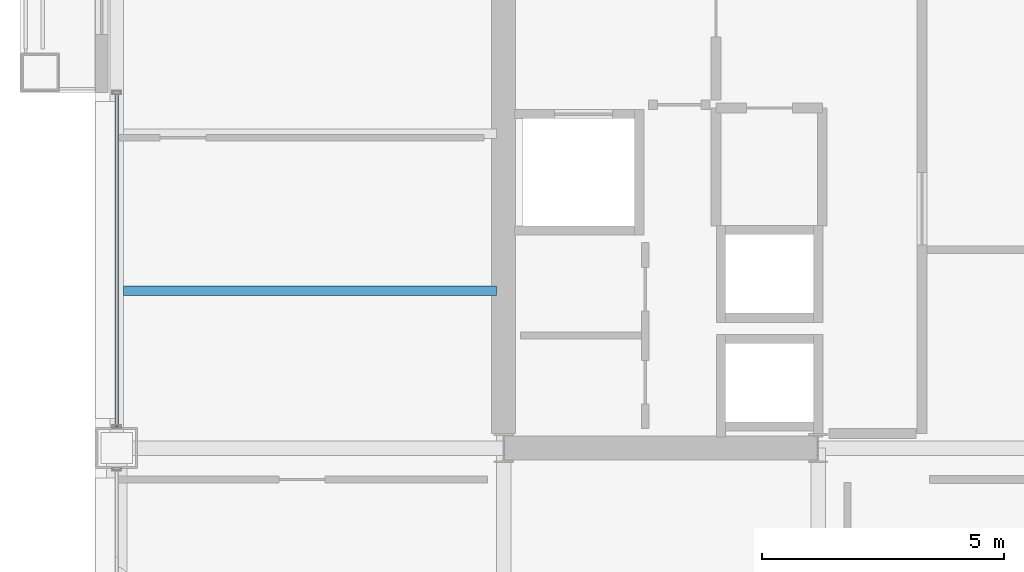
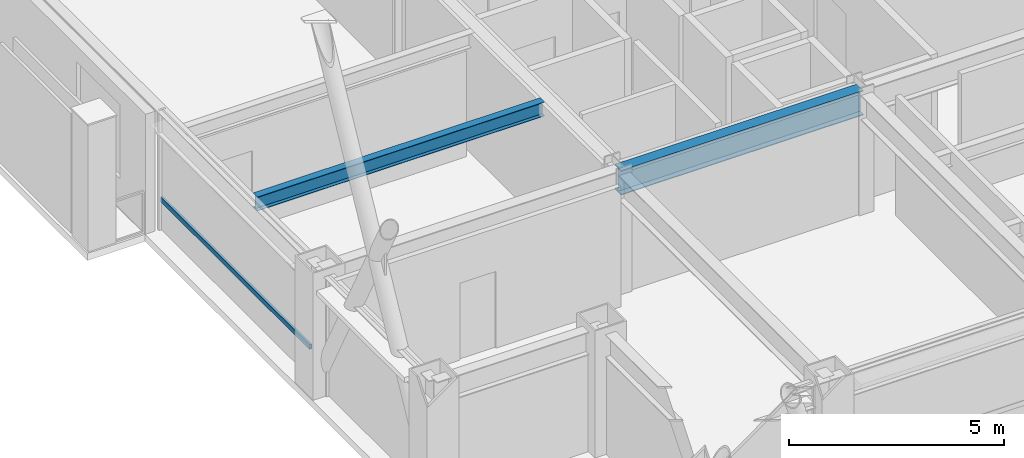
# One storey, part 5 of 34: 2 beams, 1 member, 1 element without a shape of its own.
"""IFC4 building model written with IfcOpenShell, lengths in metres."""

from ifc_helpers import new_model, si_unit, direction, frame, origin, origin_2d, place, context, subcontext, project, spatial, hollow_rectangle, i_section, extrude, material, layer, layer_set, material_profile, profile_set, type_object, element, aggregate, save


model = new_model("IFC4")

# Units and contexts
model_context = context("Model", 3, precision=1e-05, world=origin(), true_north=direction((0.0, 1.0)))
body_context = subcontext(model_context, "Body", "Model", "MODEL_VIEW")
ifc_project = project(units=[si_unit("LENGTHUNIT", "METRE"), si_unit("AREAUNIT", "SQUARE_METRE"), si_unit("VOLUMEUNIT", "CUBIC_METRE"), si_unit("PLANEANGLEUNIT", "RADIAN"), si_unit("MASSUNIT", "GRAM", prefix="KILO")], contexts=[model_context])

# Site, building, storey
site_placement = place(None, origin())
site = spatial("IfcSite", under=ifc_project, at=site_placement, CompositionType="ELEMENT")
building_placement = place(site_placement, origin())
building = spatial("IfcBuilding", under=site, at=building_placement, Name="Brelmoor Portico Tower", CompositionType="ELEMENT")
storey_placement = place(building_placement, frame((0.0, 0.0, 99.0)))
storey = spatial("IfcBuildingStorey", under=building, at=storey_placement, Name="L25", CompositionType="ELEMENT", Elevation=99.0)

# Beams
ifc_material_1 = material(Name="Steel Q355B", Category="steel")
ifc_material_profile_1 = material_profile(ifc_material_1, i_section(OverallWidth=0.199951171875, OverallDepth=0.39990234375, WebThickness=0.008056640625, FlangeThickness=0.012939453125, at=origin_2d()), Name="HN 400x200x8x13")
ifc_profile_set_1 = profile_set([ifc_material_profile_1], Name="Steel Q355B")
beam_type_1 = type_object("IfcBeamType", Name="BM-JS-400", PredefinedType="JOIST", material=ifc_profile_set_1)
beam_1_placement = place(storey_placement, frame((-22.409912109375, -6.5, 3.199951171875), z_axis=(1.0, 0.0, 0.0), x_axis=(0.0, 1.0, 0.0)))
element("IfcBeam", 1, at=beam_1_placement, inside=storey, type_object=beam_type_1, Name="L25 Secondary Wing Joist JS-W05", PredefinedType="JOIST", context=body_context, shape_type="SweptSolid", body=[
    extrude(i_section(OverallWidth=0.199951171875, OverallDepth=0.39990234375, WebThickness=0.008056640625, FlangeThickness=0.012939453125, at=origin_2d()), origin(), (0.0, 0.0, 1.0), 7.7099609375),
])
ifc_material_profile_2 = material_profile(ifc_material_1, i_section(OverallWidth=0.300048828125, OverallDepth=0.699951171875, WebThickness=0.012939453125, FlangeThickness=0.02392578125, at=origin_2d()), Name="HN 700x300x13x24")
ifc_profile_set_2 = profile_set([ifc_material_profile_2], Name="Steel Q355B")
beam_type_2 = type_object("IfcBeamType", Name="BM-PG-700", PredefinedType="BEAM", material=ifc_profile_set_2)
beam_2_placement = place(storey_placement, frame((-14.550048828125, -9.75, 3.050048828125), z_axis=(1.0, 0.0, 0.0), x_axis=(0.0, 1.0, 0.0)))
element("IfcBeam", 2, at=beam_2_placement, inside=storey, type_object=beam_type_2, Name="L25 Primary Floor Girder PG-15", PredefinedType="BEAM", context=body_context, shape_type="SweptSolid", body=[
    extrude(i_section(OverallWidth=0.300048828125, OverallDepth=0.699951171875, WebThickness=0.012939453125, FlangeThickness=0.02392578125, at=origin_2d()), origin(), (0.0, 0.0, 1.0), 6.5),
])

# Curtain wall, member
ifc_material_2 = material(Name="Anodised Aluminium Alloy 6063-T6", Category="aluminium")
ifc_layer = layer(ifc_material_2, 0.179931640625)
ifc_layer_set = layer_set([ifc_layer], Name="Anodised Aluminium Alloy 6063-T6")
curtain_wall_type = type_object("IfcCurtainWallType", Name="CW-TOWER-Z2", PredefinedType="NOTDEFINED", material=ifc_layer_set)
curtain_wall_placement = place(storey_placement, origin())
curtain_wall = element("IfcCurtainWall", 3, at=curtain_wall_placement, inside=storey, type_object=curtain_wall_type, Name="L25 Curtain Wall CW-L25-3L-2", PredefinedType="NOTDEFINED")
ifc_material_profile_3 = material_profile(ifc_material_2, hollow_rectangle(XDim=0.06494140625, YDim=0.139892578125, WallThickness=0.00390625, at=origin_2d()), Name="ALU TRANSOM 65x140")
ifc_profile_set_3 = profile_set([ifc_material_profile_3], Name="Anodised Aluminium Alloy 6063-T6")
member_type = type_object("IfcMemberType", Name="MB-CW-TRAN-140", PredefinedType="USERDEFINED", material=ifc_profile_set_3)
member_placement = place(storey_placement, frame((-22.550048828125, -9.31494140625, 0.85009765625), z_axis=(0.0, 1.0, 0.0), x_axis=(-1.0, 0.0, 0.0)))
member = element("IfcMember", 4, at=member_placement, type_object=member_type, Name="CW-L25-3L-2 Transom 1-00", ObjectType="TRANSOM", PredefinedType="USERDEFINED", context=body_context, shape_type="SweptSolid", body=[
    extrude(hollow_rectangle(XDim=0.06494140625, YDim=0.139892578125, WallThickness=0.00390625, at=origin_2d()), origin(), (0.0, 0.0, 1.0), 6.9150390625),
])
aggregate(curtain_wall, [member])

save(model, "model.ifc")
